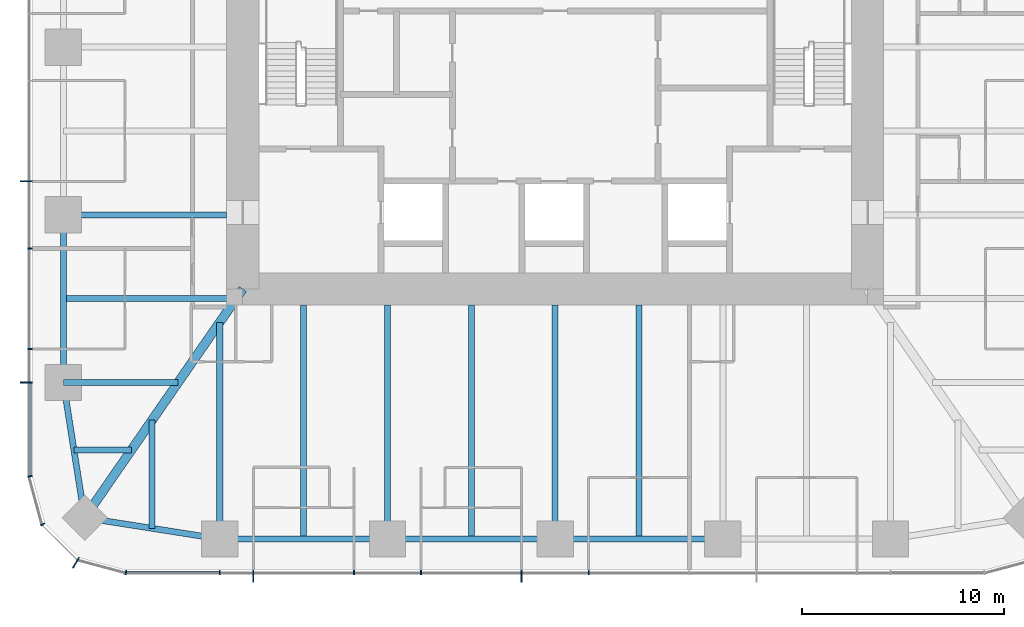
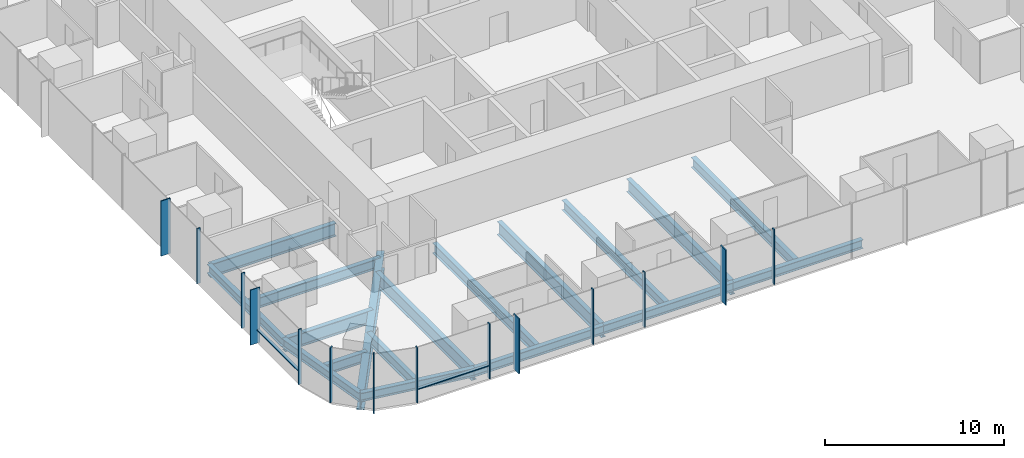
# One storey, part 2 of 12: 18 beams, 16 members, 3 elements without a shape of their own.
"""IFC4 building model written with IfcOpenShell, lengths in metres."""

import ifcopenshell
import ifcopenshell.guid

model = None  # the IFC model being written
_history = None  # IfcOwnerHistory: only IFC2X3 demands one
_inside = {}  # id of a spatial element -> (the spatial element, [elements in it])
_under = {}  # id of a project, library or spatial element -> (it, [spatial elements below it])
_declared = {}  # id of a project -> (the project, [libraries it declares])
_typed = {}  # id of a type object -> (the type object, [elements of that type])
_made_of = {}  # id of a material, layer set ... -> (it, [elements and type objects made of it])


def new_model(schema):
    """Start an empty IFC model of exactly this schema.

    Asked for "IFC4X3", IfcOpenShell would pick the latest addendum, in which some entities
    have other attributes; the version numbers below select the first issue.
    IFC2X3 requires an IfcOwnerHistory on every rooted entity: one is made here for all.
    """
    global model, _history
    if schema == "IFC4X3":
        model = ifcopenshell.file(schema_version=(4, 3, 0, 0))
    else:
        model = ifcopenshell.file(schema=schema)
    _inside.clear()
    _under.clear()
    _declared.clear()
    _typed.clear()
    _made_of.clear()
    _history = None
    if model.schema == "IFC2X3":
        org = make("IfcOrganization", Name="unknown")
        user = make(
            "IfcPersonAndOrganization",
            ThePerson=make("IfcPerson", FamilyName="unknown"),
            TheOrganization=org,
        )
        app = make(
            "IfcApplication",
            ApplicationDeveloper=org,
            Version="unknown",
            ApplicationFullName="unknown",
            ApplicationIdentifier="unknown",
        )
        _history = make(
            "IfcOwnerHistory",
            OwningUser=user,
            OwningApplication=app,
            ChangeAction="ADDED",
            CreationDate=0,
        )
    return model


def make(cls, **values):
    """One entity of the class cls with the attributes given. An attribute that is None is left unset."""
    return model.create_entity(
        cls, **{name: value for name, value in values.items() if value is not None}
    )


def rooted(cls, **values):
    """An entity with a GlobalId (a new one), such as an element, a storey or a relation."""
    return make(cls, GlobalId=ifcopenshell.guid.new(), OwnerHistory=_history, **values)


def si_unit(unit_type, name, prefix=None):
    """IfcSIUnit, for example si_unit("LENGTHUNIT", "METRE", prefix="MILLI")."""
    return make("IfcSIUnit", UnitType=unit_type, Prefix=prefix, Name=name)


def assignment(units):
    """IfcUnitAssignment: the units of a project."""
    return None if units is None else make("IfcUnitAssignment", Units=units)


def point(xyz):
    """IfcCartesianPoint."""
    return None if xyz is None else make("IfcCartesianPoint", Coordinates=xyz)


def direction(xyz):
    """IfcDirection."""
    return None if xyz is None else make("IfcDirection", DirectionRatios=xyz)


def frame(location, z_axis=None, x_axis=None):
    """IfcAxis2Placement3D, a coordinate frame: its origin and axes. An axis left out is left unset."""
    return make(
        "IfcAxis2Placement3D",
        Location=point(location),
        Axis=direction(z_axis),
        RefDirection=direction(x_axis),
    )


def frame_2d(location, x_axis=None):
    """IfcAxis2Placement2D, a coordinate frame in the plane: its origin and x axis."""
    return make(
        "IfcAxis2Placement2D", Location=point(location), RefDirection=direction(x_axis)
    )


def origin():
    """The frame at (0, 0, 0) with its axes left unset."""
    return frame((0.0, 0.0, 0.0))


def origin_2d():
    """The frame at (0, 0) in the plane with its x axis left unset."""
    return frame_2d((0.0, 0.0))


def place(relative_to, where):
    """IfcLocalPlacement: puts the frame where relative to a parent placement (None: the world)."""
    return make(
        "IfcLocalPlacement", PlacementRelTo=relative_to, RelativePlacement=where
    )


def context(
    kind, dimensions, precision=None, world=None, true_north=None, identifier=None
):
    """IfcGeometricRepresentationContext, for example the 3D "Model" context."""
    return make(
        "IfcGeometricRepresentationContext",
        ContextIdentifier=identifier,
        ContextType=kind,
        CoordinateSpaceDimension=dimensions,
        Precision=precision,
        WorldCoordinateSystem=world,
        TrueNorth=true_north,
    )


def subcontext(parent, identifier, kind, view, scale=None):
    """IfcGeometricRepresentationSubContext, for example "Body" below "Model"."""
    return make(
        "IfcGeometricRepresentationSubContext",
        ContextIdentifier=identifier,
        ContextType=kind,
        ParentContext=parent,
        TargetScale=scale,
        TargetView=view,
    )


def project(units=None, contexts=None):
    """IfcProject with its units and contexts."""
    return rooted(
        "IfcProject",
        Name="project",
        RepresentationContexts=contexts,
        UnitsInContext=assignment(units),
    )


def spatial(cls, under=None, at=None, **own):
    """A site, building, storey or space (cls), placed at a placement, below another one or the project."""
    s = rooted(cls, ObjectPlacement=at, **own)
    if under is not None:
        _under.setdefault(under.id(), (under, []))[1].append(s)
    return s


def profile(cls, at=None, kind="AREA", **sizes):
    """A parametric profile (cls). Its sizes go by their IFC names, for example OverallWidth=200.0."""
    return make(cls, ProfileType=kind, Position=at, **sizes)


def rectangle(**sizes):
    """IfcRectangleProfileDef."""
    return profile("IfcRectangleProfileDef", **sizes)


def i_section(**sizes):
    """IfcIShapeProfileDef."""
    return profile("IfcIShapeProfileDef", **sizes)


def extrude(swept, where, along, depth):
    """IfcExtrudedAreaSolid: the profile swept, set in the frame where, extruded along a direction by depth."""
    return make(
        "IfcExtrudedAreaSolid",
        SweptArea=swept,
        Position=where,
        ExtrudedDirection=direction(along),
        Depth=depth,
    )


def shape(context_of_items, identifier, shape_type, items):
    """IfcShapeRepresentation: the items that make up one representation, for example the "Body"."""
    return make(
        "IfcShapeRepresentation",
        ContextOfItems=context_of_items,
        RepresentationIdentifier=identifier,
        RepresentationType=shape_type,
        Items=items,
    )


def material(Name=None, Category=None):
    """IfcMaterial."""
    return make("IfcMaterial", Name=Name, Category=Category)


def material_profile(
    of_material, cross_section, Name=None, Category=None, Priority=None
):
    """IfcMaterialProfile: a cross section and its material."""
    return make(
        "IfcMaterialProfile",
        Name=Name,
        Material=of_material,
        Profile=cross_section,
        Priority=Priority,
        Category=Category,
    )


def profile_set(profiles, Name=None, composite=None):
    """IfcMaterialProfileSet."""
    return make(
        "IfcMaterialProfileSet",
        Name=Name,
        MaterialProfiles=profiles,
        CompositeProfile=composite,
    )


def made_of(thing, what):
    """Note that an element or type object is made of a material, layer set ...; save() writes the relation."""
    if what is not None:
        _made_of.setdefault(what.id(), (what, []))[1].append(thing)
    return thing


def type_object(cls, material=None, **own):
    """A type object (cls), such as IfcWallType, which elements share."""
    return made_of(rooted(cls, **own), material)


def element(
    cls,
    number,
    at=None,
    inside=None,
    cuts=None,
    type_object=None,
    material=None,
    context=None,
    identifier="Body",
    shape_type=None,
    held_by="IfcProductDefinitionShape",
    body=None,
    shapes=None,
    **own,
):
    """One element of the class cls, such as IfcWall. Its Tag is "e" and its number.

    at: its placement. inside: the storey or other place that contains it. cuts: it is an
    opening in that element (IfcRelVoidsElement). A single representation is given by context,
    identifier, shape_type and body (its items); several are given by shapes. held_by: the class
    of the entity that holds the representations. save() writes the other relations.
    """
    e = rooted(cls, Tag="e%d" % number, ObjectPlacement=at, **own)
    if body is not None:
        shapes = [shape(context, identifier, shape_type, body)]
    if shapes is not None:
        e.Representation = make(held_by, Representations=shapes)
    if inside is not None:
        _inside.setdefault(inside.id(), (inside, []))[1].append(e)
    if cuts is not None:
        rooted(
            "IfcRelVoidsElement", RelatingBuildingElement=cuts, RelatedOpeningElement=e
        )
    if type_object is not None:
        _typed.setdefault(type_object.id(), (type_object, []))[1].append(e)
    return made_of(e, material)


def aggregate(whole, parts):
    """IfcRelAggregates: a whole, such as a stair, and the parts it consists of."""
    return rooted("IfcRelAggregates", RelatingObject=whole, RelatedObjects=parts)


def save(model, path):
    """Write the relations noted so far, then the file.

    IfcRelAggregates (storeys below a building ...), IfcRelContainedInSpatialStructure (elements
    in a storey), IfcRelDefinesByType, IfcRelAssociatesMaterial and IfcRelDeclares: one each for
    every whole, place, type object, material and project.
    """
    for whole, parts in _under.values():
        aggregate(whole, parts)
    for where, things in _inside.values():
        rooted(
            "IfcRelContainedInSpatialStructure",
            RelatedElements=things,
            RelatingStructure=where,
        )
    for kind, things in _typed.values():
        rooted("IfcRelDefinesByType", RelatedObjects=things, RelatingType=kind)
    for what, things in _made_of.values():
        rooted("IfcRelAssociatesMaterial", RelatedObjects=things, RelatingMaterial=what)
    for by, libraries in _declared.values():
        rooted("IfcRelDeclares", RelatingContext=by, RelatedDefinitions=libraries)
    model.write(path)


model = new_model("IFC4")

# Units and contexts
model_context = context("Model", 3, precision=1e-05, world=origin(), true_north=direction((0.0, 1.0)))
body_context = subcontext(model_context, "Body", "Model", "MODEL_VIEW")
ifc_project = project(units=[si_unit("LENGTHUNIT", "METRE"), si_unit("AREAUNIT", "SQUARE_METRE"), si_unit("VOLUMEUNIT", "CUBIC_METRE"), si_unit("PLANEANGLEUNIT", "RADIAN"), si_unit("MASSUNIT", "GRAM", prefix="KILO")], contexts=[model_context])

# Site, building, storey
site_placement = place(None, origin())
site = spatial("IfcSite", under=ifc_project, at=site_placement, CompositionType="ELEMENT")
building_placement = place(site_placement, origin())
building = spatial("IfcBuilding", under=site, at=building_placement, Name="Khuree Lantern Residences", CompositionType="ELEMENT")
storey_placement = place(building_placement, frame((0.0, 0.0, 233.25)))
storey = spatial("IfcBuildingStorey", under=building, at=storey_placement, Name="L58", CompositionType="ELEMENT", Elevation=233.25)

# Beams
ifc_material_1 = material(Name="Steel S355", Category="steel")
ifc_material_profile_1 = material_profile(ifc_material_1, i_section(OverallWidth=0.300048828125, OverallDepth=0.68994140625, WebThickness=0.014404296875, FlangeThickness=0.027099609375, FilletRadius=0.027099609375, at=origin_2d()), Name="HE 700 A")
ifc_profile_set_1 = profile_set([ifc_material_profile_1], Name="Steel S355")
beam_type_1 = type_object("IfcBeamType", Name="B-33 SECONDARY BEAM HE 700 A", PredefinedType="BEAM", material=ifc_profile_set_1)
for number, where, z_axis, x_axis, name in (
    (1, (4.159912109375, -24.39990234375, -0.594970703125), (0.0, 1.0, 0.0), (-1.0, 0.0, 0.0), "Secondary beam S3"),
    (2, (-4.159912109375, -24.39990234375, -0.594970703125), (0.0, 1.0, 0.0), (-1.0, 0.0, 0.0), "Secondary beam S4"),
    (3, (-12.47998046875, -24.39990234375, -0.594970703125), (0.0, 1.0, 0.0), (-1.0, 0.0, 0.0), "Secondary beam S5"),
):
    element("IfcBeam", number, at=place(storey_placement, frame(where, z_axis=z_axis, x_axis=x_axis)), inside=storey, type_object=beam_type_1, Name=name, PredefinedType="BEAM", context=body_context, shape_type="SweptSolid", body=[
        extrude(i_section(OverallWidth=0.300048828125, OverallDepth=0.68994140625, WebThickness=0.014404296875, FlangeThickness=0.027099609375, FilletRadius=0.027099609375, at=origin_2d()), origin(), (0.0, 0.0, 1.0), 11.599853515625),
    ])
beam_1_placement = place(storey_placement, frame((-19.992919921875, -23.872802734375, -0.594970703125), z_axis=(0.0, 1.0, 0.0), x_axis=(-1.0, 0.0, 0.0)))
element("IfcBeam", 4, at=beam_1_placement, inside=storey, type_object=beam_type_1, Name="Secondary beam S6", PredefinedType="BEAM", context=body_context, shape_type="SweptSolid", body=[
    extrude(i_section(OverallWidth=0.300048828125, OverallDepth=0.68994140625, WebThickness=0.014404296875, FlangeThickness=0.027099609375, FilletRadius=0.027099609375, at=origin_2d()), origin(), (0.0, 0.0, 1.0), 5.375732421875),
])
beam_2_placement = place(storey_placement, frame((-23.872802734375, -19.992919921875, -0.594970703125), z_axis=(1.0, 0.0, 0.0), x_axis=(0.0, 1.0, 0.0)))
element("IfcBeam", 5, at=beam_2_placement, inside=storey, type_object=beam_type_1, Name="Secondary beam W1", PredefinedType="BEAM", context=body_context, shape_type="SweptSolid", body=[
    extrude(i_section(OverallWidth=0.300048828125, OverallDepth=0.68994140625, WebThickness=0.014404296875, FlangeThickness=0.027099609375, FilletRadius=0.027099609375, at=origin_2d()), origin(), (0.0, 0.0, 1.0), 2.845703125),
])
beam_3_placement = place(storey_placement, frame((-24.39990234375, -12.47998046875, -0.594970703125), z_axis=(1.0, 0.0, 0.0), x_axis=(0.0, 1.0, 0.0)))
element("IfcBeam", 6, at=beam_3_placement, inside=storey, type_object=beam_type_1, Name="Secondary beam W2", PredefinedType="BEAM", context=body_context, shape_type="SweptSolid", body=[
    extrude(i_section(OverallWidth=0.300048828125, OverallDepth=0.68994140625, WebThickness=0.014404296875, FlangeThickness=0.027099609375, FilletRadius=0.027099609375, at=origin_2d()), origin(), (0.0, 0.0, 1.0), 8.56787109375),
])
ifc_material_profile_2 = material_profile(ifc_material_1, i_section(OverallWidth=0.300048828125, OverallDepth=0.590087890625, WebThickness=0.012939453125, FlangeThickness=0.02490234375, FilletRadius=0.027099609375, at=origin_2d()), Name="HE 600 A")
ifc_profile_set_2 = profile_set([ifc_material_profile_2], Name="Steel S355")
beam_type_2 = type_object("IfcBeamType", Name="E-33 SPANDREL BEAM HE 600 A", PredefinedType="SPANDREL", material=ifc_profile_set_2)
for number, where, z_axis, x_axis, name in (
    (7, (8.320068359375, -24.39990234375, -0.544921875), (-1.0, 0.0, 0.0), (0.0, -1.0, 0.0), "Spandrel beam S3"),
    (8, (0.0, -24.39990234375, -0.544921875), (-1.0, 0.0, 0.0), (0.0, -1.0, 0.0), "Spandrel beam S4"),
):
    element("IfcBeam", number, at=place(storey_placement, frame(where, z_axis=z_axis, x_axis=x_axis)), inside=storey, type_object=beam_type_2, Name=name, PredefinedType="SPANDREL", context=body_context, shape_type="SweptSolid", body=[
        extrude(i_section(OverallWidth=0.300048828125, OverallDepth=0.590087890625, WebThickness=0.012939453125, FlangeThickness=0.02490234375, FilletRadius=0.027099609375, at=origin_2d()), origin(), (0.0, 0.0, 1.0), 8.320068359375),
    ])
beam_4_placement = place(storey_placement, frame((-8.320068359375, -24.39990234375, -0.544921875), z_axis=(-1.0, 0.0, 0.0), x_axis=(0.0, -1.0, 0.0)))
element("IfcBeam", 9, at=beam_4_placement, inside=storey, type_object=beam_type_2, Name="Spandrel beam S5", PredefinedType="SPANDREL", context=body_context, shape_type="SweptSolid", body=[
    extrude(i_section(OverallWidth=0.300048828125, OverallDepth=0.590087890625, WebThickness=0.012939453125, FlangeThickness=0.02490234375, FilletRadius=0.027099609375, at=origin_2d()), origin(), (0.0, 0.0, 1.0), 8.31982421875),
])
for number, where, z_axis, x_axis, name in (
    (10, (-16.639892578125, -24.39990234375, -0.544921875), (-0.98786743189, 0.155299507442, 0.0), (-0.155299507442, -0.98786743189, 0.0), "Spandrel beam S6"),
    (11, (-23.345703125, -23.345703125, -0.544921875), (-0.155299507442, 0.98786743189, 0.0), (-0.98786743189, -0.155299507442, 0.0), "Spandrel beam W1"),
):
    element("IfcBeam", number, at=place(storey_placement, frame(where, z_axis=z_axis, x_axis=x_axis)), inside=storey, type_object=beam_type_2, Name=name, PredefinedType="SPANDREL", context=body_context, shape_type="SweptSolid", body=[
        extrude(i_section(OverallWidth=0.300048828125, OverallDepth=0.590087890625, WebThickness=0.012939453125, FlangeThickness=0.02490234375, FilletRadius=0.027099609375, at=origin_2d()), origin(), (0.0, 0.0, 1.0), 6.7880859375),
    ])
beam_5_placement = place(storey_placement, frame((-24.39990234375, -16.639892578125, -0.544921875), z_axis=(0.0, 1.0, 0.0), x_axis=(-1.0, 0.0, 0.0)))
element("IfcBeam", 12, at=beam_5_placement, inside=storey, type_object=beam_type_2, Name="Spandrel beam W2", PredefinedType="SPANDREL", context=body_context, shape_type="SweptSolid", body=[
    extrude(i_section(OverallWidth=0.300048828125, OverallDepth=0.590087890625, WebThickness=0.012939453125, FlangeThickness=0.02490234375, FilletRadius=0.027099609375, at=origin_2d()), origin(), (0.0, 0.0, 1.0), 8.31982421875),
])

# Curtain wall, members
ifc_material_2 = material(Name="Bronze anodised aluminium", Category="aluminium")
curtain_wall_type_1 = type_object("IfcCurtainWallType", Name="CW-T1 TOWER FACE CURTAIN WALL", PredefinedType="USERDEFINED", material=ifc_material_2)
curtain_wall_1_placement = place(storey_placement, origin())
curtain_wall_1 = element("IfcCurtainWall", 13, at=curtain_wall_1_placement, inside=storey, type_object=curtain_wall_type_1, Name="L58 WEST FACE CURTAIN WALL", ObjectType="Stick-built curtain wall", PredefinedType="USERDEFINED")
ifc_material_profile_3 = material_profile(ifc_material_2, rectangle(XDim=0.06494140625, YDim=0.60009765625, at=origin_2d()), Name="F1 65X600")
ifc_profile_set_3 = profile_set([ifc_material_profile_3], Name="Bronze anodised aluminium")
member_type_1 = type_object("IfcMemberType", Name="F1 BRONZE FIN MULLION TOWER 65X600", PredefinedType="MULLION", material=ifc_profile_set_3)
member_1_placement = place(storey_placement, frame((-26.25, -6.656005859375, 0.0), z_axis=(0.0, 0.0, 1.0), x_axis=(0.0, -1.0, 0.0)))
member_1 = element("IfcMember", 14, at=member_1_placement, type_object=member_type_1, Name="L58 WEST FACE FIN MULLION 39", PredefinedType="MULLION", context=body_context, shape_type="SweptSolid", body=[
    extrude(rectangle(XDim=0.06494140625, YDim=0.60009765625, at=origin_2d()), origin(), (0.0, 0.0, 1.0), 3.75),
])
member_2_placement = place(storey_placement, frame((-26.25, -16.639892578125, 0.0), z_axis=(0.0, 0.0, 1.0), x_axis=(0.0, -1.0, 0.0)))
member_2 = element("IfcMember", 15, at=member_2_placement, type_object=member_type_1, Name="L58 WEST FACE FIN MULLION 42", PredefinedType="MULLION", context=body_context, shape_type="SweptSolid", body=[
    extrude(rectangle(XDim=0.06494140625, YDim=0.60009765625, at=origin_2d()), origin(), (0.0, 0.0, 1.0), 3.75),
])

# Curtain wall, member
curtain_wall_type_2 = type_object("IfcCurtainWallType", Name="CW-T2 TOWER CORNER CURTAIN WALL", PredefinedType="USERDEFINED", material=ifc_material_2)
curtain_wall_2_placement = place(storey_placement, origin())
curtain_wall_2 = element("IfcCurtainWall", 16, at=curtain_wall_2_placement, inside=storey, type_object=curtain_wall_type_2, Name="L58 SOUTH-WEST CORNER CURTAIN WALL", ObjectType="Faceted corner curtain wall", PredefinedType="USERDEFINED")
member_3_placement = place(storey_placement, frame((-23.77490234375, -25.5869140625, 0.0), z_axis=(0.0, 0.0, 1.0), x_axis=(0.866025409797, -0.499999989586, 0.0)))
member_3 = element("IfcMember", 17, at=member_3_placement, type_object=member_type_1, Name="L58 SOUTH-WEST CORNER FIN MULLION 45", PredefinedType="MULLION", context=body_context, shape_type="SweptSolid", body=[
    extrude(rectangle(XDim=0.06494140625, YDim=0.60009765625, at=origin_2d()), origin(), (0.0, 0.0, 1.0), 3.75),
])

# Curtain wall, members
curtain_wall_3_placement = place(storey_placement, origin())
curtain_wall_3 = element("IfcCurtainWall", 18, at=curtain_wall_3_placement, inside=storey, type_object=curtain_wall_type_1, Name="L58 SOUTH FACE CURTAIN WALL", ObjectType="Stick-built curtain wall", PredefinedType="USERDEFINED")
member_4_placement = place(storey_placement, frame((-14.97607421875, -26.25, 0.0), z_axis=(0.0, 0.0, 1.0), x_axis=(1.0, 0.0, 0.0)))
member_4 = element("IfcMember", 19, at=member_4_placement, type_object=member_type_1, Name="L58 SOUTH FACE FIN MULLION 48", PredefinedType="MULLION", context=body_context, shape_type="SweptSolid", body=[
    extrude(rectangle(XDim=0.06494140625, YDim=0.60009765625, at=origin_2d()), origin(), (0.0, 0.0, 1.0), 3.75),
])
member_5_placement = place(storey_placement, frame((-1.6640625, -26.25, 0.0), z_axis=(0.0, 0.0, 1.0), x_axis=(1.0, 0.0, 0.0)))
member_5 = element("IfcMember", 20, at=member_5_placement, type_object=member_type_1, Name="L58 SOUTH FACE FIN MULLION 51", PredefinedType="MULLION", context=body_context, shape_type="SweptSolid", body=[
    extrude(rectangle(XDim=0.06494140625, YDim=0.60009765625, at=origin_2d()), origin(), (0.0, 0.0, 1.0), 3.75),
])

# Beams
ifc_material_profile_4 = material_profile(ifc_material_1, i_section(OverallWidth=0.300048828125, OverallDepth=0.89990234375, WebThickness=0.0185546875, FlangeThickness=0.034912109375, FilletRadius=0.030029296875, at=origin_2d()), Name="HE 900 B")
ifc_profile_set_4 = profile_set([ifc_material_profile_4], Name="Steel S355")
beam_type_3 = type_object("IfcBeamType", Name="G-33 GIRDER HE 900 B", PredefinedType="BEAM", material=ifc_profile_set_4)
for number, where, z_axis, x_axis, name in (
    (21, (0.0, -24.39990234375, -0.699951171875), (0.0, 1.0, 0.0), (-1.0, 0.0, 0.0), "Girder S3"),
    (22, (-8.320068359375, -24.39990234375, -0.699951171875), (0.0, 1.0, 0.0), (-1.0, 0.0, 0.0), "Girder S4"),
):
    element("IfcBeam", number, at=place(storey_placement, frame(where, z_axis=z_axis, x_axis=x_axis)), inside=storey, type_object=beam_type_3, Name=name, PredefinedType="BEAM", context=body_context, shape_type="SweptSolid", body=[
        extrude(i_section(OverallWidth=0.300048828125, OverallDepth=0.89990234375, WebThickness=0.0185546875, FlangeThickness=0.034912109375, FilletRadius=0.030029296875, at=origin_2d()), origin(), (0.0, 0.0, 1.0), 11.599853515625),
    ])
beam_6_placement = place(storey_placement, frame((-16.639892578125, -24.39990234375, -0.699951171875), z_axis=(0.0, 1.0, 0.0), x_axis=(-1.0, 0.0, 0.0)))
element("IfcBeam", 23, at=beam_6_placement, inside=storey, type_object=beam_type_3, Name="Girder S5", PredefinedType="BEAM", context=body_context, shape_type="SweptSolid", body=[
    extrude(i_section(OverallWidth=0.300048828125, OverallDepth=0.89990234375, WebThickness=0.0185546875, FlangeThickness=0.034912109375, FilletRadius=0.030029296875, at=origin_2d()), origin(), (0.0, 0.0, 1.0), 10.751220703125),
])
beam_7_placement = place(storey_placement, frame((-24.39990234375, -16.639892578125, -0.699951171875), z_axis=(1.0, 0.0, 0.0), x_axis=(0.0, 1.0, 0.0)))
element("IfcBeam", 24, at=beam_7_placement, inside=storey, type_object=beam_type_3, Name="Girder W1", PredefinedType="BEAM", context=body_context, shape_type="SweptSolid", body=[
    extrude(i_section(OverallWidth=0.300048828125, OverallDepth=0.89990234375, WebThickness=0.0185546875, FlangeThickness=0.034912109375, FilletRadius=0.030029296875, at=origin_2d()), origin(), (0.0, 0.0, 1.0), 5.69140625),
])
beam_8_placement = place(storey_placement, frame((-24.39990234375, -8.320068359375, -0.699951171875), z_axis=(1.0, 0.0, 0.0), x_axis=(0.0, 1.0, 0.0)))
element("IfcBeam", 25, at=beam_8_placement, inside=storey, type_object=beam_type_3, Name="Girder W2", PredefinedType="BEAM", context=body_context, shape_type="SweptSolid", body=[
    extrude(i_section(OverallWidth=0.300048828125, OverallDepth=0.89990234375, WebThickness=0.0185546875, FlangeThickness=0.034912109375, FilletRadius=0.030029296875, at=origin_2d()), origin(), (0.0, 0.0, 1.0), 8.099853515625),
])
ifc_material_profile_5 = material_profile(ifc_material_1, i_section(OverallWidth=0.449951171875, OverallDepth=1.199951171875, WebThickness=0.02490234375, FlangeThickness=0.044921875, at=origin_2d()), Name="WELDED I 1200X450X25X45")
ifc_profile_set_5 = profile_set([ifc_material_profile_5], Name="Steel S355")
beam_type_4 = type_object("IfcBeamType", Name="GD-33 CORNER GIRDER WELDED I 1200X450X25X45", PredefinedType="BEAM", material=ifc_profile_set_5)
beam_9_placement = place(storey_placement, frame((-23.345703125, -23.345703125, -0.85009765625), z_axis=(0.56876813501, 0.822497907959, 0.0), x_axis=(-0.822497907959, 0.56876813501, 0.0)))
element("IfcBeam", 26, at=beam_9_placement, inside=storey, type_object=beam_type_4, Name="Corner girder SW", PredefinedType="BEAM", context=body_context, shape_type="SweptSolid", body=[
    extrude(i_section(OverallWidth=0.449951171875, OverallDepth=1.199951171875, WebThickness=0.02490234375, FlangeThickness=0.044921875, at=origin_2d()), origin(), (0.0, 0.0, 1.0), 13.794189453125),
])

# Member
ifc_material_profile_6 = material_profile(ifc_material_2, rectangle(XDim=0.06494140625, YDim=0.219970703125, at=origin_2d()), Name="M1 65X220")
ifc_profile_set_6 = profile_set([ifc_material_profile_6], Name="Bronze anodised aluminium")
member_type_2 = type_object("IfcMemberType", Name="M1 BRONZE MULLION TOWER 65X220", PredefinedType="MULLION", material=ifc_profile_set_6)
member_6_placement = place(storey_placement, frame((-26.06005859375, -9.98388671875, 0.0), z_axis=(0.0, 0.0, 1.0), x_axis=(0.0, -1.0, 0.0)))
member_6 = element("IfcMember", 27, at=member_6_placement, type_object=member_type_2, Name="L58 WEST FACE MULLION 40", PredefinedType="MULLION", context=body_context, shape_type="SweptSolid", body=[
    extrude(rectangle(XDim=0.06494140625, YDim=0.219970703125, at=origin_2d()), origin(), (0.0, 0.0, 1.0), 3.75),
])

member_7_placement = place(storey_placement, frame((-26.06005859375, -14.97607421875, 0.0), z_axis=(0.0, 0.0, 1.0), x_axis=(0.0, -1.0, 0.0)))
member_7 = element("IfcMember", 28, at=member_7_placement, type_object=member_type_2, Name="L58 WEST FACE MULLION 41", PredefinedType="MULLION", context=body_context, shape_type="SweptSolid", body=[
    extrude(rectangle(XDim=0.06494140625, YDim=0.219970703125, at=origin_2d()), origin(), (0.0, 0.0, 1.0), 3.75),
])

member_8_placement = place(storey_placement, frame((-26.061767578125, -21.294921875, 0.0), z_axis=(0.0, 0.0, 1.0), x_axis=(0.130526180298, -0.991444862943, 0.0)))
member_8 = element("IfcMember", 29, at=member_8_placement, type_object=member_type_2, Name="L58 SOUTH-WEST CORNER MULLION 43", PredefinedType="MULLION", context=body_context, shape_type="SweptSolid", body=[
    extrude(rectangle(XDim=0.06494140625, YDim=0.219970703125, at=origin_2d()), origin(), (0.0, 0.0, 1.0), 3.75),
])

member_9_placement = place(storey_placement, frame((-25.42236328125, -23.679931640625, 0.0), z_axis=(0.0, 0.0, 1.0), x_axis=(0.499999989586, -0.866025409797, 0.0)))
member_9 = element("IfcMember", 30, at=member_9_placement, type_object=member_type_2, Name="L58 SOUTH-WEST CORNER MULLION 44", PredefinedType="MULLION", context=body_context, shape_type="SweptSolid", body=[
    extrude(rectangle(XDim=0.06494140625, YDim=0.219970703125, at=origin_2d()), origin(), (0.0, 0.0, 1.0), 3.75),
])

aggregate(curtain_wall_2, [member_8, member_9, member_3])

member_10_placement = place(storey_placement, frame((-21.294921875, -26.061767578125, 0.0), z_axis=(0.0, 0.0, 1.0), x_axis=(0.991444862943, -0.130526180298, 0.0)))
member_10 = element("IfcMember", 31, at=member_10_placement, type_object=member_type_2, Name="L58 SOUTH FACE MULLION 46", PredefinedType="MULLION", context=body_context, shape_type="SweptSolid", body=[
    extrude(rectangle(XDim=0.06494140625, YDim=0.219970703125, at=origin_2d()), origin(), (0.0, 0.0, 1.0), 3.75),
])

member_11_placement = place(storey_placement, frame((-16.639892578125, -26.06005859375, 0.0), z_axis=(0.0, 0.0, 1.0), x_axis=(1.0, 0.0, 0.0)))
member_11 = element("IfcMember", 32, at=member_11_placement, type_object=member_type_2, Name="L58 SOUTH FACE MULLION 47", PredefinedType="MULLION", context=body_context, shape_type="SweptSolid", body=[
    extrude(rectangle(XDim=0.06494140625, YDim=0.219970703125, at=origin_2d()), origin(), (0.0, 0.0, 1.0), 3.75),
])

member_12_placement = place(storey_placement, frame((-9.98388671875, -26.06005859375, 0.0), z_axis=(0.0, 0.0, 1.0), x_axis=(1.0, 0.0, 0.0)))
member_12 = element("IfcMember", 33, at=member_12_placement, type_object=member_type_2, Name="L58 SOUTH FACE MULLION 49", PredefinedType="MULLION", context=body_context, shape_type="SweptSolid", body=[
    extrude(rectangle(XDim=0.06494140625, YDim=0.219970703125, at=origin_2d()), origin(), (0.0, 0.0, 1.0), 3.75),
])

member_13_placement = place(storey_placement, frame((-6.656005859375, -26.06005859375, 0.0), z_axis=(0.0, 0.0, 1.0), x_axis=(1.0, 0.0, 0.0)))
member_13 = element("IfcMember", 34, at=member_13_placement, type_object=member_type_2, Name="L58 SOUTH FACE MULLION 50", PredefinedType="MULLION", context=body_context, shape_type="SweptSolid", body=[
    extrude(rectangle(XDim=0.06494140625, YDim=0.219970703125, at=origin_2d()), origin(), (0.0, 0.0, 1.0), 3.75),
])

member_14_placement = place(storey_placement, frame((1.6640625, -26.06005859375, 0.0), z_axis=(0.0, 0.0, 1.0), x_axis=(1.0, 0.0, 0.0)))
member_14 = element("IfcMember", 35, at=member_14_placement, type_object=member_type_2, Name="L58 SOUTH FACE MULLION 52", PredefinedType="MULLION", context=body_context, shape_type="SweptSolid", body=[
    extrude(rectangle(XDim=0.06494140625, YDim=0.219970703125, at=origin_2d()), origin(), (0.0, 0.0, 1.0), 3.75),
])

ifc_material_profile_7 = material_profile(ifc_material_2, rectangle(XDim=0.179931640625, YDim=0.06494140625, at=origin_2d()), Name="T1 180X65")
ifc_profile_set_7 = profile_set([ifc_material_profile_7], Name="Bronze anodised aluminium")
member_type_3 = type_object("IfcMemberType", Name="TRANSOM T1 TOWER 180X65", PredefinedType="USERDEFINED", material=ifc_profile_set_7)
member_15_placement = place(storey_placement, frame((-26.070068359375, -16.672607421875, 0.89990234375), z_axis=(0.0, -1.0, 0.0), x_axis=(1.0, 0.0, 0.0)))
member_15 = element("IfcMember", 36, at=member_15_placement, type_object=member_type_3, Name="L58 WEST FACE TRANSOM 42.1", ObjectType="Transom", PredefinedType="USERDEFINED", context=body_context, shape_type="SweptSolid", body=[
    extrude(rectangle(XDim=0.179931640625, YDim=0.06494140625, at=origin_2d()), origin(), (0.0, 0.0, 1.0), 4.578857421875),
])

aggregate(curtain_wall_1, [member_1, member_6, member_7, member_2, member_15])

member_16_placement = place(storey_placement, frame((-21.25146484375, -26.070068359375, 0.89990234375), z_axis=(1.0, 0.0, 0.0), x_axis=(0.0, 1.0, 0.0)))
member_16 = element("IfcMember", 37, at=member_16_placement, type_object=member_type_3, Name="L58 SOUTH FACE TRANSOM 46.1", ObjectType="Transom", PredefinedType="USERDEFINED", context=body_context, shape_type="SweptSolid", body=[
    extrude(rectangle(XDim=0.179931640625, YDim=0.06494140625, at=origin_2d()), origin(), (0.0, 0.0, 1.0), 4.578857421875),
])

aggregate(curtain_wall_3, [member_10, member_11, member_4, member_12, member_13, member_5, member_14, member_16])

save(model, "model.ifc")
